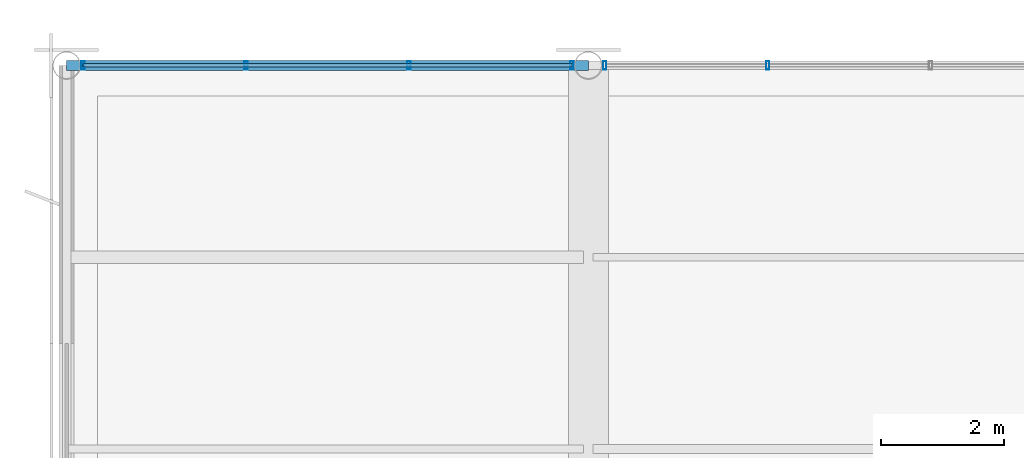
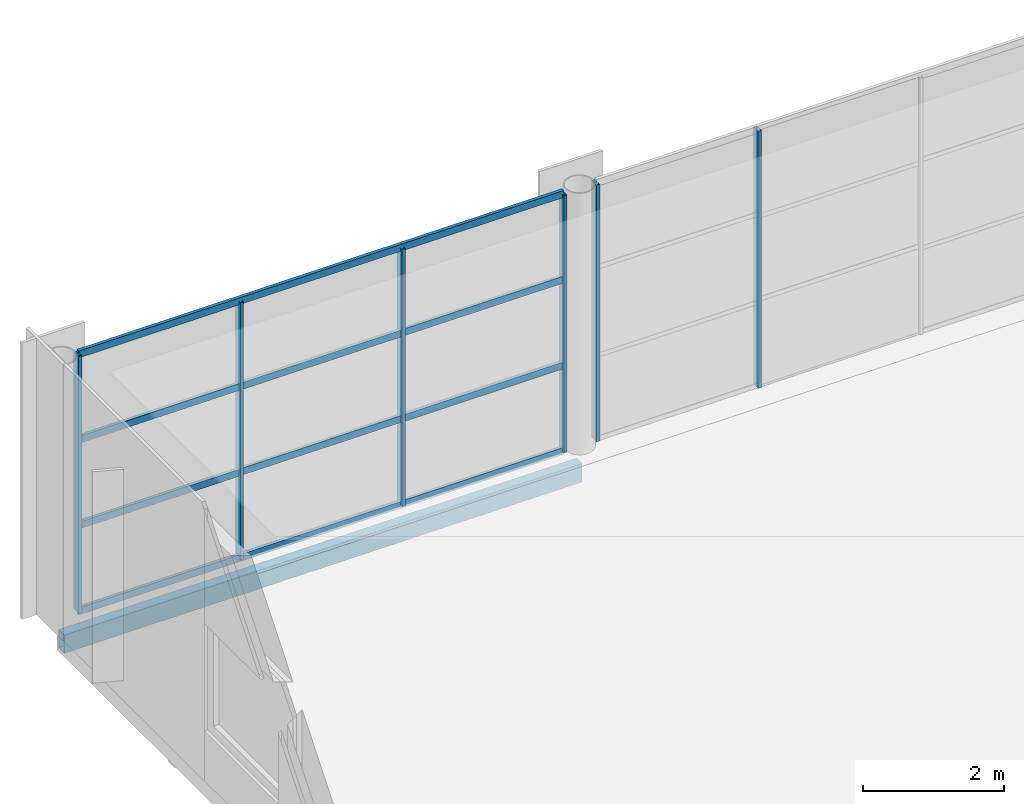
# One storey, part 44 of 112: 10 members, 1 beam, 2 elements without a shape of their own.
"""IFC4 building model written with IfcOpenShell, lengths in metres."""

from ifc_helpers import new_model, si_unit, direction, frame, origin, origin_2d, place, context, subcontext, project, spatial, hollow_rectangle, extrude, material, material_profile, profile_set, type_object, element, aggregate, save


model = new_model("IFC4")

# Units and contexts
model_context = context("Model", 3, precision=1e-05, world=origin(), true_north=direction((0.0, 1.0)))
body_context = subcontext(model_context, "Body", "Model", "MODEL_VIEW")
ifc_project = project(units=[si_unit("LENGTHUNIT", "METRE"), si_unit("AREAUNIT", "SQUARE_METRE"), si_unit("VOLUMEUNIT", "CUBIC_METRE"), si_unit("PLANEANGLEUNIT", "RADIAN"), si_unit("MASSUNIT", "GRAM", prefix="KILO")], contexts=[model_context])

# Site, building, storey
site_placement = place(None, origin())
site = spatial("IfcSite", under=ifc_project, at=site_placement, CompositionType="ELEMENT")
building_placement = place(site_placement, origin())
building = spatial("IfcBuilding", under=site, at=building_placement, Name="Solvikara Media Centre", CompositionType="ELEMENT")
storey_placement = place(building_placement, frame((0.0, 0.0, 5.39990234375)))
storey = spatial("IfcBuildingStorey", under=building, at=storey_placement, Name="L01", CompositionType="ELEMENT", Elevation=5.39990234375)

# Beam
ifc_material_1 = material(Name="Steel S355JR", Category="steel")
ifc_material_profile_1 = material_profile(ifc_material_1, hollow_rectangle(XDim=0.159912109375, YDim=0.320068359375, WallThickness=0.010009765625, at=origin_2d()), Name="RHS 320x160x10")
ifc_profile_set_1 = profile_set([ifc_material_profile_1], Name="Steel S355JR")
beam_type = type_object("IfcBeamType", Name="BM-45", PredefinedType="SPANDREL", material=ifc_profile_set_1)
beam_placement = place(storey_placement, frame((0.0, 114.0, -0.421875), z_axis=(1.0, 0.0, 0.0), x_axis=(0.0, 1.0, 0.0)))
element("IfcBeam", 1, at=beam_placement, inside=storey, type_object=beam_type, Name="B-L01-X0527", PredefinedType="SPANDREL", context=body_context, shape_type="SweptSolid", body=[
    extrude(hollow_rectangle(XDim=0.159912109375, YDim=0.320068359375, WallThickness=0.010009765625, at=origin_2d()), origin(), (0.0, 0.0, 1.0), 8.5),
])

# Curtain wall, members
ifc_material_2 = material(Name="Anodised aluminium EN AW-6063", Category="aluminium")
curtain_wall_type = type_object("IfcCurtainWallType", Name="CW-08", PredefinedType="NOTDEFINED", material=ifc_material_2)
curtain_wall_1_placement = place(storey_placement, origin())
curtain_wall_1 = element("IfcCurtainWall", 2, at=curtain_wall_1_placement, inside=storey, type_object=curtain_wall_type, Name="CW-L01-V3N-S1", PredefinedType="NOTDEFINED")
ifc_material_profile_2 = material_profile(ifc_material_2, hollow_rectangle(XDim=0.054931640625, YDim=0.139892578125, WallThickness=0.0029296875, at=origin_2d()), Name="ALU-M 55x140x3")
ifc_profile_set_2 = profile_set([ifc_material_profile_2], Name="Anodised aluminium EN AW-6063")
member_type_1 = type_object("IfcMemberType", Name="MF-05", PredefinedType="MULLION", material=ifc_profile_set_2)
member_1_placement = place(storey_placement, frame((0.26904296875, 114.0, 0.02001953125), z_axis=(0.0, 0.0, 1.0), x_axis=(1.0, 0.0, 0.0)))
member_1 = element("IfcMember", 3, at=member_1_placement, type_object=member_type_1, Name="CW-L01-V3N-S1-M00", PredefinedType="MULLION", context=body_context, shape_type="SweptSolid", body=[
    extrude(hollow_rectangle(XDim=0.054931640625, YDim=0.139892578125, WallThickness=0.0029296875, at=origin_2d()), origin(), (0.0, 0.0, 1.0), 4.4599609375),
])
member_2_placement = place(storey_placement, frame((2.923095703125, 114.0, 0.02001953125), z_axis=(0.0, 0.0, 1.0), x_axis=(1.0, 0.0, 0.0)))
member_2 = element("IfcMember", 4, at=member_2_placement, type_object=member_type_1, Name="CW-L01-V3N-S1-M01", PredefinedType="MULLION", context=body_context, shape_type="SweptSolid", body=[
    extrude(hollow_rectangle(XDim=0.054931640625, YDim=0.139892578125, WallThickness=0.0029296875, at=origin_2d()), origin(), (0.0, 0.0, 1.0), 4.4599609375),
])
member_3_placement = place(storey_placement, frame((5.577880859375, 114.0, 0.02001953125), z_axis=(0.0, 0.0, 1.0), x_axis=(1.0, 0.0, 0.0)))
member_3 = element("IfcMember", 5, at=member_3_placement, type_object=member_type_1, Name="CW-L01-V3N-S1-M02", PredefinedType="MULLION", context=body_context, shape_type="SweptSolid", body=[
    extrude(hollow_rectangle(XDim=0.054931640625, YDim=0.139892578125, WallThickness=0.0029296875, at=origin_2d()), origin(), (0.0, 0.0, 1.0), 4.4599609375),
])
member_4_placement = place(storey_placement, frame((8.23193359375, 114.0, 0.02001953125), z_axis=(0.0, 0.0, 1.0), x_axis=(1.0, 0.0, 0.0)))
member_4 = element("IfcMember", 6, at=member_4_placement, type_object=member_type_1, Name="CW-L01-V3N-S1-M03", PredefinedType="MULLION", context=body_context, shape_type="SweptSolid", body=[
    extrude(hollow_rectangle(XDim=0.054931640625, YDim=0.139892578125, WallThickness=0.0029296875, at=origin_2d()), origin(), (0.0, 0.0, 1.0), 4.4599609375),
])

curtain_wall_2_placement = place(storey_placement, origin())
curtain_wall_2 = element("IfcCurtainWall", 7, at=curtain_wall_2_placement, inside=storey, type_object=curtain_wall_type, Name="CW-L01-V3N-S2", PredefinedType="NOTDEFINED")
member_5_placement = place(storey_placement, frame((8.76806640625, 114.0, 0.02001953125), z_axis=(0.0, 0.0, 1.0), x_axis=(1.0, 0.0, 0.0)))
member_5 = element("IfcMember", 8, at=member_5_placement, type_object=member_type_1, Name="CW-L01-V3N-S2-M00", PredefinedType="MULLION", context=body_context, shape_type="SweptSolid", body=[
    extrude(hollow_rectangle(XDim=0.054931640625, YDim=0.139892578125, WallThickness=0.0029296875, at=origin_2d()), origin(), (0.0, 0.0, 1.0), 4.4599609375),
])
member_6_placement = place(storey_placement, frame((11.423095703125, 114.0, 0.02001953125), z_axis=(0.0, 0.0, 1.0), x_axis=(1.0, 0.0, 0.0)))
member_6 = element("IfcMember", 9, at=member_6_placement, type_object=member_type_1, Name="CW-L01-V3N-S2-M01", PredefinedType="MULLION", context=body_context, shape_type="SweptSolid", body=[
    extrude(hollow_rectangle(XDim=0.054931640625, YDim=0.139892578125, WallThickness=0.0029296875, at=origin_2d()), origin(), (0.0, 0.0, 1.0), 4.4599609375),
])
aggregate(curtain_wall_2, [member_5, member_6])

# Member
ifc_material_profile_3 = material_profile(ifc_material_2, hollow_rectangle(XDim=0.054931640625, YDim=0.1201171875, WallThickness=0.0029296875, at=origin_2d()), Name="ALU-T 55x120x3")
ifc_profile_set_3 = profile_set([ifc_material_profile_3], Name="Anodised aluminium EN AW-6063")
member_type_2 = type_object("IfcMemberType", Name="MF-11", PredefinedType="USERDEFINED", material=ifc_profile_set_3)
member_7_placement = place(storey_placement, frame((0.26904296875, 114.0, 0.02001953125), z_axis=(1.0, 0.0, 0.0), x_axis=(0.0, 1.0, 0.0)))
member_7 = element("IfcMember", 10, at=member_7_placement, type_object=member_type_2, Name="CW-L01-V3N-S1-T00", ObjectType="TRANSOM", PredefinedType="USERDEFINED", context=body_context, shape_type="SweptSolid", body=[
    extrude(hollow_rectangle(XDim=0.054931640625, YDim=0.1201171875, WallThickness=0.0029296875, at=origin_2d()), origin(), (0.0, 0.0, 1.0), 7.962890625),
])

member_8_placement = place(storey_placement, frame((0.26904296875, 114.0, 1.507080078125), z_axis=(1.0, 0.0, 0.0), x_axis=(0.0, 1.0, 0.0)))
member_8 = element("IfcMember", 11, at=member_8_placement, type_object=member_type_2, Name="CW-L01-V3N-S1-T01", ObjectType="TRANSOM", PredefinedType="USERDEFINED", context=body_context, shape_type="SweptSolid", body=[
    extrude(hollow_rectangle(XDim=0.054931640625, YDim=0.1201171875, WallThickness=0.0029296875, at=origin_2d()), origin(), (0.0, 0.0, 1.0), 7.962890625),
])

member_9_placement = place(storey_placement, frame((0.26904296875, 114.0, 2.9931640625), z_axis=(1.0, 0.0, 0.0), x_axis=(0.0, 1.0, 0.0)))
member_9 = element("IfcMember", 12, at=member_9_placement, type_object=member_type_2, Name="CW-L01-V3N-S1-T02", ObjectType="TRANSOM", PredefinedType="USERDEFINED", context=body_context, shape_type="SweptSolid", body=[
    extrude(hollow_rectangle(XDim=0.054931640625, YDim=0.1201171875, WallThickness=0.0029296875, at=origin_2d()), origin(), (0.0, 0.0, 1.0), 7.962890625),
])

member_10_placement = place(storey_placement, frame((0.26904296875, 114.0, 4.47998046875), z_axis=(1.0, 0.0, 0.0), x_axis=(0.0, 1.0, 0.0)))
member_10 = element("IfcMember", 13, at=member_10_placement, type_object=member_type_2, Name="CW-L01-V3N-S1-T03", ObjectType="TRANSOM", PredefinedType="USERDEFINED", context=body_context, shape_type="SweptSolid", body=[
    extrude(hollow_rectangle(XDim=0.054931640625, YDim=0.1201171875, WallThickness=0.0029296875, at=origin_2d()), origin(), (0.0, 0.0, 1.0), 7.962890625),
])

aggregate(curtain_wall_1, [member_1, member_2, member_3, member_4, member_7, member_8, member_9, member_10])

save(model, "model.ifc")
